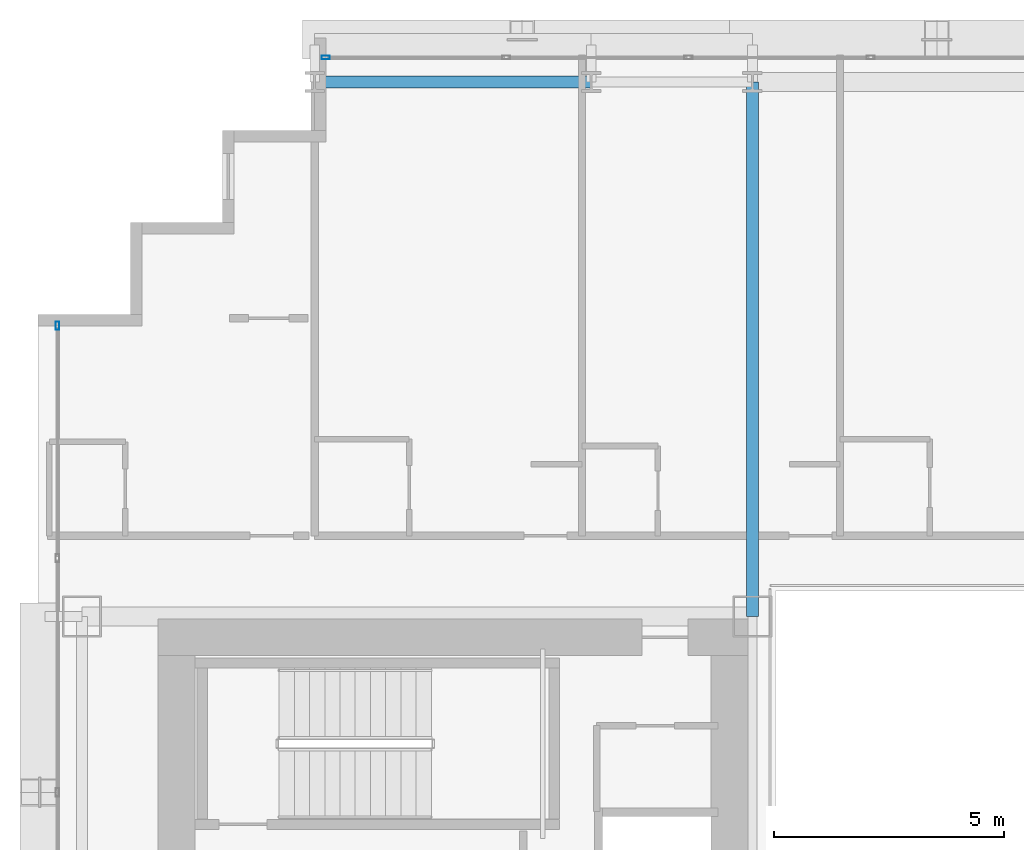
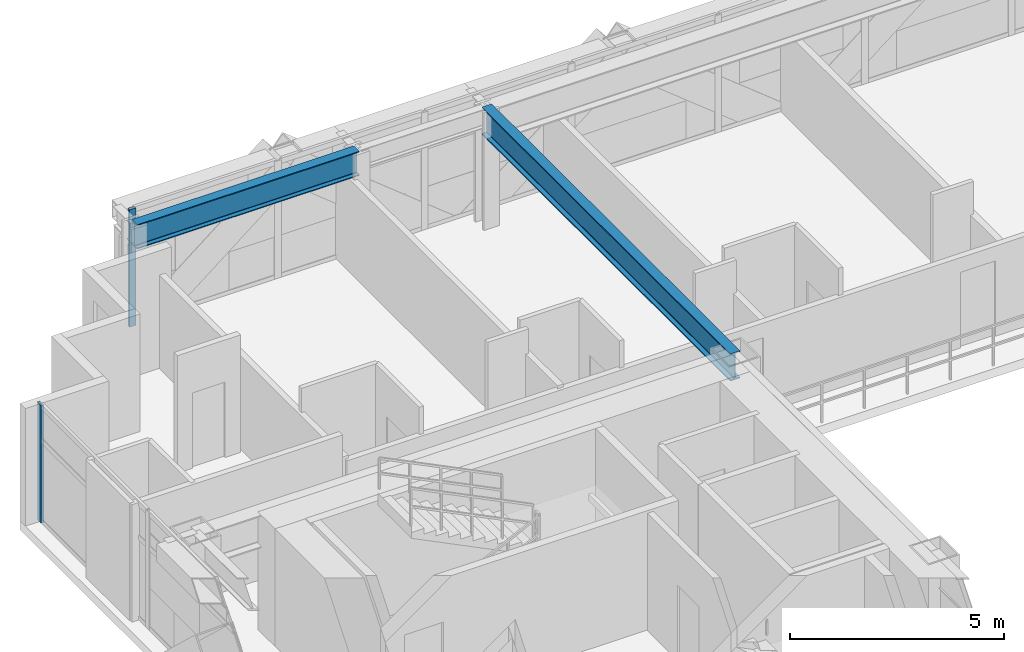
# One storey, part 17 of 35: 2 beams, 2 members, 2 elements without a shape of their own.
"""IFC4 building model written with IfcOpenShell, lengths in metres."""

import ifcopenshell
import ifcopenshell.guid

model = None  # the IFC model being written
_history = None  # IfcOwnerHistory: only IFC2X3 demands one
_inside = {}  # id of a spatial element -> (the spatial element, [elements in it])
_under = {}  # id of a project, library or spatial element -> (it, [spatial elements below it])
_declared = {}  # id of a project -> (the project, [libraries it declares])
_typed = {}  # id of a type object -> (the type object, [elements of that type])
_made_of = {}  # id of a material, layer set ... -> (it, [elements and type objects made of it])


def new_model(schema):
    """Start an empty IFC model of exactly this schema.

    Asked for "IFC4X3", IfcOpenShell would pick the latest addendum, in which some entities
    have other attributes; the version numbers below select the first issue.
    IFC2X3 requires an IfcOwnerHistory on every rooted entity: one is made here for all.
    """
    global model, _history
    if schema == "IFC4X3":
        model = ifcopenshell.file(schema_version=(4, 3, 0, 0))
    else:
        model = ifcopenshell.file(schema=schema)
    _inside.clear()
    _under.clear()
    _declared.clear()
    _typed.clear()
    _made_of.clear()
    _history = None
    if model.schema == "IFC2X3":
        org = make("IfcOrganization", Name="unknown")
        user = make(
            "IfcPersonAndOrganization",
            ThePerson=make("IfcPerson", FamilyName="unknown"),
            TheOrganization=org,
        )
        app = make(
            "IfcApplication",
            ApplicationDeveloper=org,
            Version="unknown",
            ApplicationFullName="unknown",
            ApplicationIdentifier="unknown",
        )
        _history = make(
            "IfcOwnerHistory",
            OwningUser=user,
            OwningApplication=app,
            ChangeAction="ADDED",
            CreationDate=0,
        )
    return model


def make(cls, **values):
    """One entity of the class cls with the attributes given. An attribute that is None is left unset."""
    return model.create_entity(
        cls, **{name: value for name, value in values.items() if value is not None}
    )


def rooted(cls, **values):
    """An entity with a GlobalId (a new one), such as an element, a storey or a relation."""
    return make(cls, GlobalId=ifcopenshell.guid.new(), OwnerHistory=_history, **values)


def si_unit(unit_type, name, prefix=None):
    """IfcSIUnit, for example si_unit("LENGTHUNIT", "METRE", prefix="MILLI")."""
    return make("IfcSIUnit", UnitType=unit_type, Prefix=prefix, Name=name)


def assignment(units):
    """IfcUnitAssignment: the units of a project."""
    return None if units is None else make("IfcUnitAssignment", Units=units)


def point(xyz):
    """IfcCartesianPoint."""
    return None if xyz is None else make("IfcCartesianPoint", Coordinates=xyz)


def direction(xyz):
    """IfcDirection."""
    return None if xyz is None else make("IfcDirection", DirectionRatios=xyz)


def frame(location, z_axis=None, x_axis=None):
    """IfcAxis2Placement3D, a coordinate frame: its origin and axes. An axis left out is left unset."""
    return make(
        "IfcAxis2Placement3D",
        Location=point(location),
        Axis=direction(z_axis),
        RefDirection=direction(x_axis),
    )


def frame_2d(location, x_axis=None):
    """IfcAxis2Placement2D, a coordinate frame in the plane: its origin and x axis."""
    return make(
        "IfcAxis2Placement2D", Location=point(location), RefDirection=direction(x_axis)
    )


def origin():
    """The frame at (0, 0, 0) with its axes left unset."""
    return frame((0.0, 0.0, 0.0))


def origin_2d():
    """The frame at (0, 0) in the plane with its x axis left unset."""
    return frame_2d((0.0, 0.0))


def place(relative_to, where):
    """IfcLocalPlacement: puts the frame where relative to a parent placement (None: the world)."""
    return make(
        "IfcLocalPlacement", PlacementRelTo=relative_to, RelativePlacement=where
    )


def context(
    kind, dimensions, precision=None, world=None, true_north=None, identifier=None
):
    """IfcGeometricRepresentationContext, for example the 3D "Model" context."""
    return make(
        "IfcGeometricRepresentationContext",
        ContextIdentifier=identifier,
        ContextType=kind,
        CoordinateSpaceDimension=dimensions,
        Precision=precision,
        WorldCoordinateSystem=world,
        TrueNorth=true_north,
    )


def subcontext(parent, identifier, kind, view, scale=None):
    """IfcGeometricRepresentationSubContext, for example "Body" below "Model"."""
    return make(
        "IfcGeometricRepresentationSubContext",
        ContextIdentifier=identifier,
        ContextType=kind,
        ParentContext=parent,
        TargetScale=scale,
        TargetView=view,
    )


def project(units=None, contexts=None):
    """IfcProject with its units and contexts."""
    return rooted(
        "IfcProject",
        Name="project",
        RepresentationContexts=contexts,
        UnitsInContext=assignment(units),
    )


def spatial(cls, under=None, at=None, **own):
    """A site, building, storey or space (cls), placed at a placement, below another one or the project."""
    s = rooted(cls, ObjectPlacement=at, **own)
    if under is not None:
        _under.setdefault(under.id(), (under, []))[1].append(s)
    return s


def profile(cls, at=None, kind="AREA", **sizes):
    """A parametric profile (cls). Its sizes go by their IFC names, for example OverallWidth=200.0."""
    return make(cls, ProfileType=kind, Position=at, **sizes)


def hollow_rectangle(**sizes):
    """IfcRectangleHollowProfileDef."""
    return profile("IfcRectangleHollowProfileDef", **sizes)


def i_section(**sizes):
    """IfcIShapeProfileDef."""
    return profile("IfcIShapeProfileDef", **sizes)


def extrude(swept, where, along, depth):
    """IfcExtrudedAreaSolid: the profile swept, set in the frame where, extruded along a direction by depth."""
    return make(
        "IfcExtrudedAreaSolid",
        SweptArea=swept,
        Position=where,
        ExtrudedDirection=direction(along),
        Depth=depth,
    )


def shape(context_of_items, identifier, shape_type, items):
    """IfcShapeRepresentation: the items that make up one representation, for example the "Body"."""
    return make(
        "IfcShapeRepresentation",
        ContextOfItems=context_of_items,
        RepresentationIdentifier=identifier,
        RepresentationType=shape_type,
        Items=items,
    )


def source(mapping_origin, context_of_items, identifier, shape_type, items):
    """IfcRepresentationMap: a shape defined once, which mapped items show again and again."""
    return make(
        "IfcRepresentationMap",
        MappingOrigin=mapping_origin,
        MappedRepresentation=shape(context_of_items, identifier, shape_type, items),
    )


def transform(
    local_origin,
    x_axis=None,
    y_axis=None,
    z_axis=None,
    scale=None,
    scale2=None,
    scale3=None,
    uniform=True,
):
    """IfcCartesianTransformationOperator3D, or its non-uniform kind. x_axis, y_axis, z_axis: its Axis1, 2, 3."""
    if uniform:
        return make(
            "IfcCartesianTransformationOperator3D",
            Axis1=direction(x_axis),
            Axis2=direction(y_axis),
            LocalOrigin=point(local_origin),
            Scale=scale,
            Axis3=direction(z_axis),
        )
    return make(
        "IfcCartesianTransformationOperator3DnonUniform",
        Axis1=direction(x_axis),
        Axis2=direction(y_axis),
        LocalOrigin=point(local_origin),
        Scale=scale,
        Axis3=direction(z_axis),
        Scale2=scale2,
        Scale3=scale3,
    )


def mapped(mapping_source, mapping_target):
    """IfcMappedItem: shows the shape of a source again, moved by a transform."""
    return make(
        "IfcMappedItem", MappingSource=mapping_source, MappingTarget=mapping_target
    )


def material(Name=None, Category=None):
    """IfcMaterial."""
    return make("IfcMaterial", Name=Name, Category=Category)


def layer(
    of_material, thickness, ventilated=None, Name=None, Category=None, Priority=None
):
    """IfcMaterialLayer: one layer of a wall or slab, of a material (None: an air gap)."""
    return make(
        "IfcMaterialLayer",
        Material=of_material,
        LayerThickness=thickness,
        IsVentilated=ventilated,
        Name=Name,
        Category=Category,
        Priority=Priority,
    )


def layer_set(layers, Name=None):
    """IfcMaterialLayerSet."""
    return make("IfcMaterialLayerSet", MaterialLayers=layers, LayerSetName=Name)


def material_profile(
    of_material, cross_section, Name=None, Category=None, Priority=None
):
    """IfcMaterialProfile: a cross section and its material."""
    return make(
        "IfcMaterialProfile",
        Name=Name,
        Material=of_material,
        Profile=cross_section,
        Priority=Priority,
        Category=Category,
    )


def profile_set(profiles, Name=None, composite=None):
    """IfcMaterialProfileSet."""
    return make(
        "IfcMaterialProfileSet",
        Name=Name,
        MaterialProfiles=profiles,
        CompositeProfile=composite,
    )


def made_of(thing, what):
    """Note that an element or type object is made of a material, layer set ...; save() writes the relation."""
    if what is not None:
        _made_of.setdefault(what.id(), (what, []))[1].append(thing)
    return thing


def type_object(cls, material=None, **own):
    """A type object (cls), such as IfcWallType, which elements share."""
    return made_of(rooted(cls, **own), material)


def element(
    cls,
    number,
    at=None,
    inside=None,
    cuts=None,
    type_object=None,
    material=None,
    context=None,
    identifier="Body",
    shape_type=None,
    held_by="IfcProductDefinitionShape",
    body=None,
    shapes=None,
    **own,
):
    """One element of the class cls, such as IfcWall. Its Tag is "e" and its number.

    at: its placement. inside: the storey or other place that contains it. cuts: it is an
    opening in that element (IfcRelVoidsElement). A single representation is given by context,
    identifier, shape_type and body (its items); several are given by shapes. held_by: the class
    of the entity that holds the representations. save() writes the other relations.
    """
    e = rooted(cls, Tag="e%d" % number, ObjectPlacement=at, **own)
    if body is not None:
        shapes = [shape(context, identifier, shape_type, body)]
    if shapes is not None:
        e.Representation = make(held_by, Representations=shapes)
    if inside is not None:
        _inside.setdefault(inside.id(), (inside, []))[1].append(e)
    if cuts is not None:
        rooted(
            "IfcRelVoidsElement", RelatingBuildingElement=cuts, RelatedOpeningElement=e
        )
    if type_object is not None:
        _typed.setdefault(type_object.id(), (type_object, []))[1].append(e)
    return made_of(e, material)


def aggregate(whole, parts):
    """IfcRelAggregates: a whole, such as a stair, and the parts it consists of."""
    return rooted("IfcRelAggregates", RelatingObject=whole, RelatedObjects=parts)


def save(model, path):
    """Write the relations noted so far, then the file.

    IfcRelAggregates (storeys below a building ...), IfcRelContainedInSpatialStructure (elements
    in a storey), IfcRelDefinesByType, IfcRelAssociatesMaterial and IfcRelDeclares: one each for
    every whole, place, type object, material and project.
    """
    for whole, parts in _under.values():
        aggregate(whole, parts)
    for where, things in _inside.values():
        rooted(
            "IfcRelContainedInSpatialStructure",
            RelatedElements=things,
            RelatingStructure=where,
        )
    for kind, things in _typed.values():
        rooted("IfcRelDefinesByType", RelatedObjects=things, RelatingType=kind)
    for what, things in _made_of.values():
        rooted("IfcRelAssociatesMaterial", RelatedObjects=things, RelatingMaterial=what)
    for by, libraries in _declared.values():
        rooted("IfcRelDeclares", RelatingContext=by, RelatedDefinitions=libraries)
    model.write(path)


model = new_model("IFC4")

# Units and contexts
model_context = context("Model", 3, precision=1e-05, world=origin(), true_north=direction((0.0, 1.0)))
body_context = subcontext(model_context, "Body", "Model", "MODEL_VIEW")
ifc_project = project(units=[si_unit("LENGTHUNIT", "METRE"), si_unit("AREAUNIT", "SQUARE_METRE"), si_unit("VOLUMEUNIT", "CUBIC_METRE"), si_unit("PLANEANGLEUNIT", "RADIAN"), si_unit("MASSUNIT", "GRAM", prefix="KILO")], contexts=[model_context])

# Site, building, storey
site_placement = place(None, origin())
site = spatial("IfcSite", under=ifc_project, at=site_placement, CompositionType="ELEMENT")
building_placement = place(site_placement, origin())
building = spatial("IfcBuilding", under=site, at=building_placement, Name="Ocotamira Hotel", CompositionType="ELEMENT")
storey_placement = place(building_placement, frame((0.0, 0.0, 49.199951171875)))
storey = spatial("IfcBuildingStorey", under=building, at=storey_placement, Name="L11", CompositionType="ELEMENT", Elevation=49.199951171875)

# Beams
ifc_material_1 = material(Name="Steel ASTM A992 Grade 50", Category="steel")
ifc_material_profile_1 = material_profile(ifc_material_1, i_section(OverallWidth=0.256103515625, OverallDepth=0.693115234375, WebThickness=0.014404296875, FlangeThickness=0.023681640625, FilletRadius=0.01611328125, at=origin_2d()), Name="W27X114")
ifc_profile_set_1 = profile_set([ifc_material_profile_1], Name="Steel ASTM A992 Grade 50")
beam_type_1 = type_object("IfcBeamType", Name="BM-PRIM-W27X114", PredefinedType="BEAM", material=ifc_profile_set_1)
shared_shape_1 = source(origin(), body_context, "Body", "SweptSolid", [
    extrude(i_section(OverallWidth=0.256103515625, OverallDepth=0.693115234375, WebThickness=0.014404296875, FlangeThickness=0.023681640625, FilletRadius=0.01611328125, at=origin_2d()), origin(), (0.0, 0.0, 1.0), 6.0),
])
beam_1_placement = place(storey_placement, frame((14.0, 49.050048828125, 3.003662109375), z_axis=(1.0, 0.0, 0.0), x_axis=(0.0, 1.0, 0.0)))
element("IfcBeam", 1, at=beam_1_placement, inside=storey, type_object=beam_type_1, Name="L11 Girder Y49.05 X14-20", PredefinedType="BEAM", context=body_context, shape_type="MappedRepresentation", body=[
    mapped(shared_shape_1, transform((0.0, 0.0, 0.0), scale=1.0)),
])
ifc_material_profile_2 = material_profile(ifc_material_1, i_section(OverallWidth=0.26611328125, OverallDepth=0.779052734375, WebThickness=0.0166015625, FlangeThickness=0.030029296875, FilletRadius=0.01806640625, at=origin_2d()), Name="W30X148")
ifc_profile_set_2 = profile_set([ifc_material_profile_2], Name="Steel ASTM A992 Grade 50")
beam_type_2 = type_object("IfcBeamType", Name="BM-GIRD-W30X148", PredefinedType="BEAM", material=ifc_profile_set_2)
shared_shape_2 = source(origin(), body_context, "Body", "SweptSolid", [
    extrude(i_section(OverallWidth=0.26611328125, OverallDepth=0.779052734375, WebThickness=0.0166015625, FlangeThickness=0.030029296875, FilletRadius=0.01806640625, at=origin_2d()), origin(), (0.0, 0.0, 1.0), 11.60009765625),
])
beam_2_placement = place(storey_placement, frame((23.5, 37.449951171875, 2.96044921875), z_axis=(0.0, 1.0, 0.0), x_axis=(-1.0, 0.0, 0.0)))
element("IfcBeam", 2, at=beam_2_placement, inside=storey, type_object=beam_type_2, Name="L11 Beam X23.5 Y37.45-49.05", PredefinedType="BEAM", context=body_context, shape_type="MappedRepresentation", body=[
    mapped(shared_shape_2, transform((0.0, 0.0, 0.0), scale=1.0)),
])

# Curtain wall, member
ifc_material_2 = material(Name="Anodised pale-metal aluminium and solar glass", Category="aluminium")
ifc_layer = layer(ifc_material_2, 0.179931640625)
ifc_layer_set = layer_set([ifc_layer], Name="Anodised pale-metal aluminium and solar glass")
curtain_wall_type = type_object("IfcCurtainWallType", Name="CW-SYS2-Z1", PredefinedType="NOTDEFINED", material=ifc_layer_set)
curtain_wall_1_placement = place(storey_placement, origin())
curtain_wall_1 = element("IfcCurtainWall", 3, at=curtain_wall_1_placement, inside=storey, type_object=curtain_wall_type, Name="L11 Curtain Wall CW-2 CW-L11-N", PredefinedType="NOTDEFINED")
ifc_material_3 = material(Name="Anodised pale-metal aluminium 6063-T6", Category="aluminium")
ifc_material_profile_3 = material_profile(ifc_material_3, hollow_rectangle(XDim=0.080078125, YDim=0.179931640625, WallThickness=0.006103515625, at=origin_2d()), Name="HSS180X80X6")
ifc_profile_set_3 = profile_set([ifc_material_profile_3], Name="Anodised pale-metal aluminium 6063-T6")
member_type = type_object("IfcMemberType", Name="CWM-180X75", PredefinedType="MULLION", material=ifc_profile_set_3)
shared_shape_3 = source(origin(), body_context, "Body", "SweptSolid", [
    extrude(hollow_rectangle(XDim=0.080078125, YDim=0.179931640625, WallThickness=0.006103515625, at=origin_2d()), origin(), (0.0, 0.0, 1.0), 3.35009765625),
])
member_1_placement = place(storey_placement, frame((14.239990234375, 49.580078125, 0.0), z_axis=(0.0, 0.0, 1.0), x_axis=(0.0, 1.0, 0.0)))
member_1 = element("IfcMember", 4, at=member_1_placement, type_object=member_type, Name="CW-2 mullion 1", PredefinedType="MULLION", context=body_context, shape_type="MappedRepresentation", body=[
    mapped(shared_shape_3, transform((0.0, 0.0, 0.0), scale=1.0)),
])
aggregate(curtain_wall_1, [member_1])

curtain_wall_2_placement = place(storey_placement, origin())
curtain_wall_2 = element("IfcCurtainWall", 5, at=curtain_wall_2_placement, inside=storey, type_object=curtain_wall_type, Name="L11 Curtain Wall CW-2 CW-L11-W", PredefinedType="NOTDEFINED")
member_2_placement = place(storey_placement, frame((8.419921875, 43.760009765625, 0.0), z_axis=(0.0, 0.0, 1.0), x_axis=(-1.0, 0.0, 0.0)))
member_2 = element("IfcMember", 6, at=member_2_placement, type_object=member_type, Name="CW-2 mullion 8", PredefinedType="MULLION", context=body_context, shape_type="MappedRepresentation", body=[
    mapped(shared_shape_3, transform((0.0, 0.0, 0.0), scale=1.0)),
])
aggregate(curtain_wall_2, [member_2])

save(model, "model.ifc")
